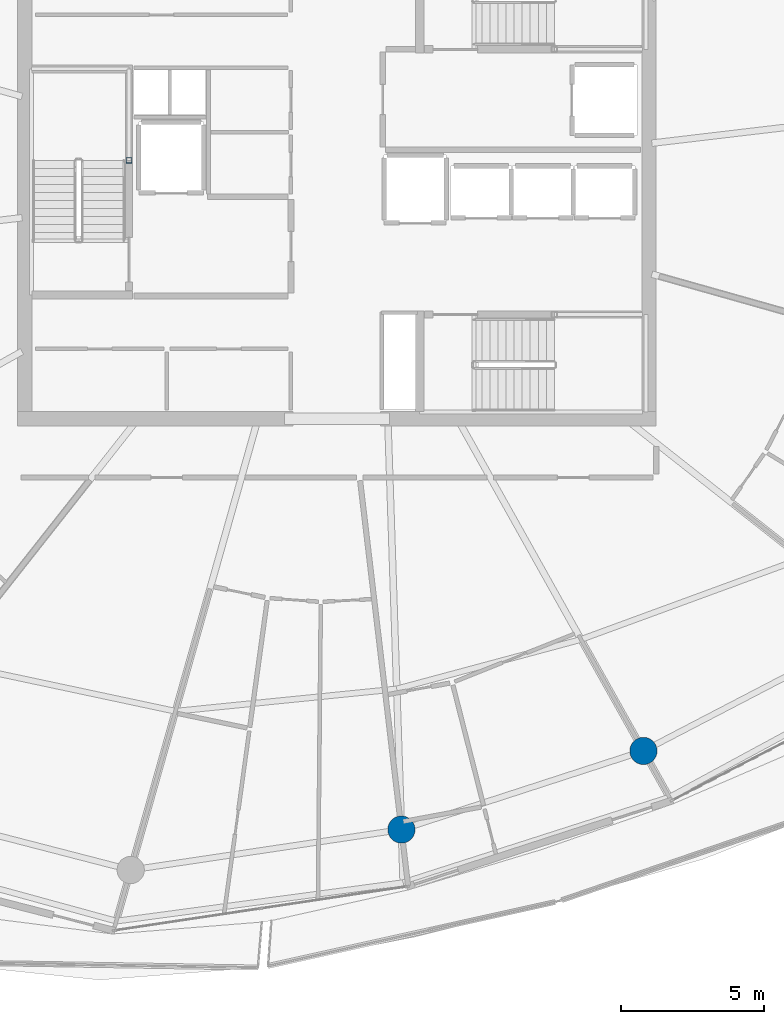
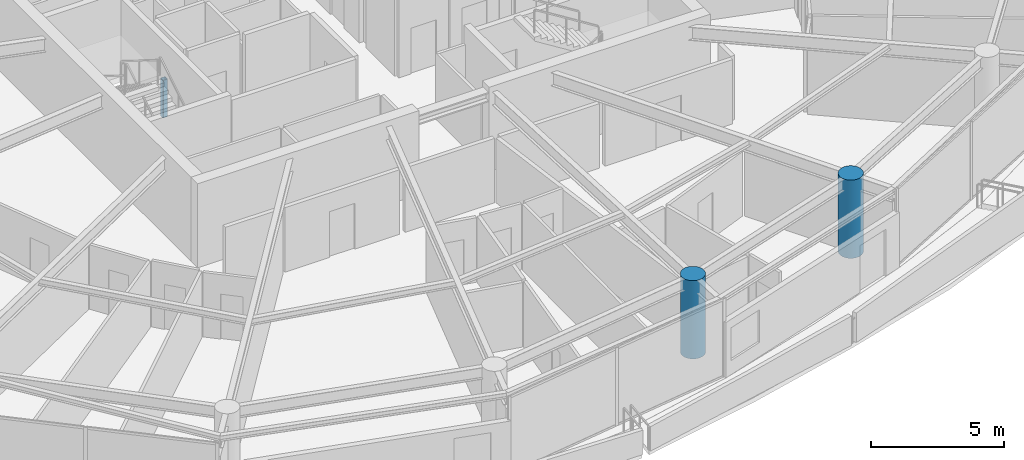
# One storey, part 2 of 29: 3 columns.
"""IFC4 building model written with IfcOpenShell, lengths in metres."""

from ifc_helpers import new_model, si_unit, direction, frame, origin, origin_2d, place, context, subcontext, project, spatial, hollow_rectangle, circle, extrude, material, material_profile, profile_set, type_object, element, save


model = new_model("IFC4")

# Units and contexts
model_context = context("Model", 3, precision=1e-05, world=origin(), true_north=direction((0.0, 1.0)))
body_context = subcontext(model_context, "Body", "Model", "MODEL_VIEW")
ifc_project = project(units=[si_unit("LENGTHUNIT", "METRE"), si_unit("AREAUNIT", "SQUARE_METRE"), si_unit("VOLUMEUNIT", "CUBIC_METRE"), si_unit("PLANEANGLEUNIT", "RADIAN"), si_unit("MASSUNIT", "GRAM", prefix="KILO")], contexts=[model_context])

# Site, building, storey
site_placement = place(None, origin())
site = spatial("IfcSite", under=ifc_project, at=site_placement, CompositionType="ELEMENT")
building_placement = place(site_placement, origin())
building = spatial("IfcBuilding", under=site, at=building_placement, Name="Kazma Halo Residences", CompositionType="ELEMENT")
storey_placement = place(building_placement, frame((0.0, 0.0, 282.89990234375)))
storey = spatial("IfcBuildingStorey", under=building, at=storey_placement, Name="L71", CompositionType="ELEMENT", Elevation=282.89990234375)

# Columns
ifc_material_1 = material(Name="Steel S355", Category="steel")
ifc_material_profile_1 = material_profile(ifc_material_1, hollow_rectangle(XDim=0.199951171875, YDim=0.199951171875, WallThickness=0.010009765625, InnerFilletRadius=0.010009765625, OuterFilletRadius=0.02001953125, at=origin_2d()), Name="SHS200x200x10")
ifc_profile_set_1 = profile_set([ifc_material_profile_1], Name="Steel S355")
column_type_1 = type_object("IfcColumnType", Name="COL-LP-SHS200", PredefinedType="COLUMN", material=ifc_profile_set_1)
column_placement = place(storey_placement, frame((41.179931640625, 42.75, 0.0), z_axis=(0.0, 0.0, 1.0), x_axis=(1.0, 0.0, 0.0)))
element("IfcColumn", 1, at=column_placement, inside=storey, type_object=column_type_1, Name="L71 ST-01 landing pilaster 1", PredefinedType="COLUMN", context=body_context, shape_type="SweptSolid", body=[
    extrude(hollow_rectangle(XDim=0.199951171875, YDim=0.199951171875, WallThickness=0.010009765625, InnerFilletRadius=0.010009765625, OuterFilletRadius=0.02001953125, at=origin_2d()), origin(), (0.0, 0.0, 1.0), 1.72021484375),
])
ifc_material_2 = material(Name="Concrete C60/75", Category="concrete")
ifc_material_profile_2 = material_profile(ifc_material_2, circle(Radius=0.47509765625, at=origin_2d()), Name="CIRC950")
ifc_profile_set_2 = profile_set([ifc_material_profile_2], Name="Concrete C60/75")
column_type_2 = type_object("IfcColumnType", Name="COL-PERIM-950", PredefinedType="COLUMN", material=ifc_profile_set_2)
for number, where, z_axis, x_axis, name in (
    (2, (50.67138671875, 19.42919921875, 0.0), (0.0, 0.0, 1.0), (1.0, 0.0, 0.0), "L71 perimeter ring column P12"),
    (3, (59.10546875, 22.169677734375, 0.0), (0.0, 0.0, 1.0), (1.0, 0.0, 0.0), "L71 perimeter ring column P13"),
):
    element("IfcColumn", number, at=place(storey_placement, frame(where, z_axis=z_axis, x_axis=x_axis)), inside=storey, type_object=column_type_2, Name=name, PredefinedType="COLUMN", context=body_context, shape_type="SweptSolid", body=[
        extrude(circle(Radius=0.47509765625, at=origin_2d()), origin(), (0.0, 0.0, 1.0), 3.590087890625),
    ])

save(model, "model.ifc")
